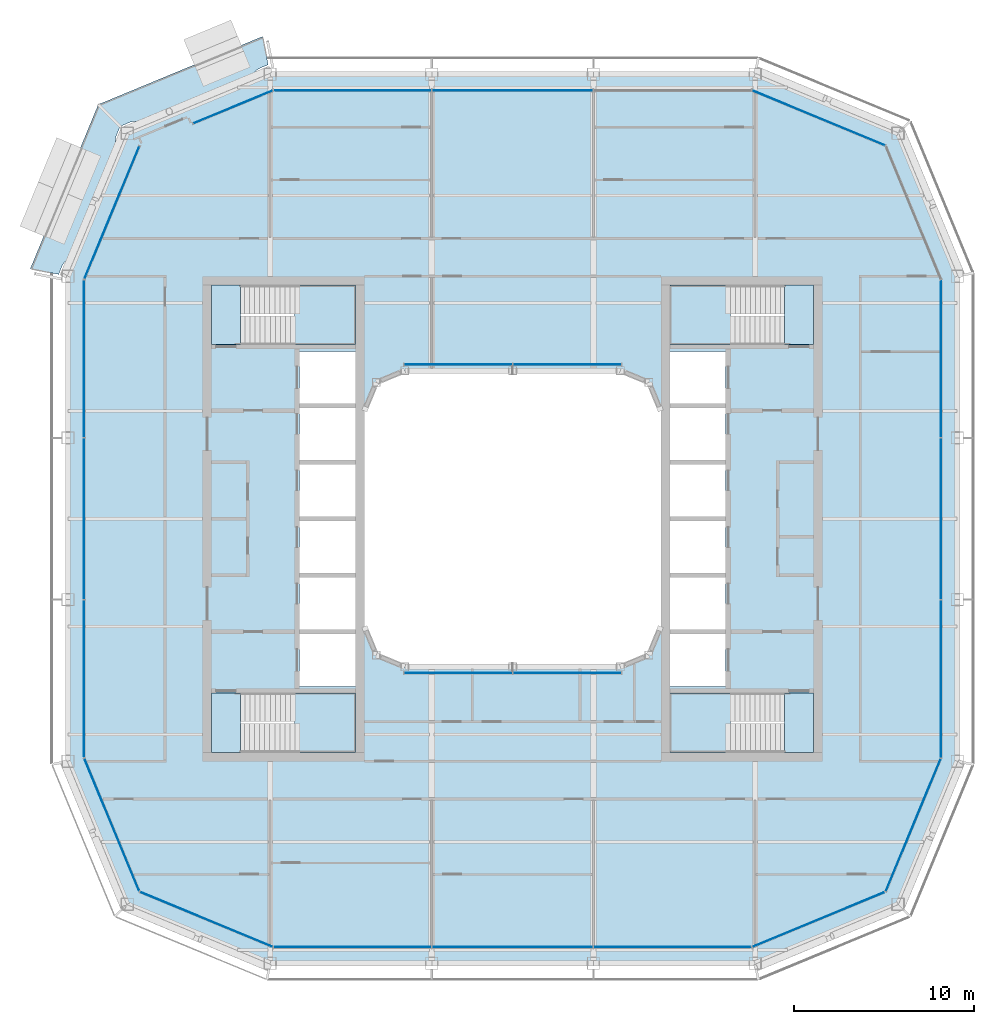
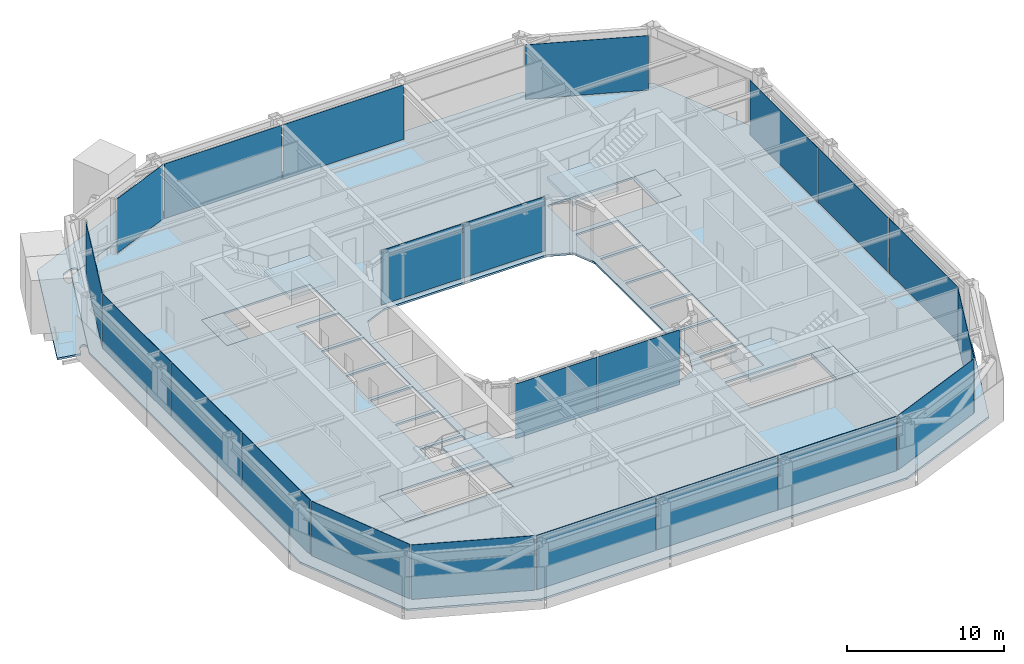
# One storey, part 11 of 22: 22 plates, 10 slabs, 17 elements without a shape of their own.
"""IFC4 building model written with IfcOpenShell, lengths in metres."""

from ifc_helpers import new_model, si_unit, direction, frame, origin, origin_2d, place, context, subcontext, project, spatial, polyline, rectangle, outline, extrude, material, layer, layer_set, type_object, element, aggregate, save


model = new_model("IFC4")

# Units and contexts
model_context = context("Model", 3, precision=1e-05, world=origin(), true_north=direction((0.0, 1.0)))
body_context = subcontext(model_context, "Body", "Model", "MODEL_VIEW")
ifc_project = project(units=[si_unit("LENGTHUNIT", "METRE"), si_unit("AREAUNIT", "SQUARE_METRE"), si_unit("VOLUMEUNIT", "CUBIC_METRE"), si_unit("PLANEANGLEUNIT", "RADIAN"), si_unit("MASSUNIT", "GRAM", prefix="KILO")], contexts=[model_context])

# Site, building, storey
site_placement = place(None, origin())
site = spatial("IfcSite", under=ifc_project, at=site_placement, CompositionType="ELEMENT")
building_placement = place(site_placement, origin())
building = spatial("IfcBuilding", under=site, at=building_placement, Name="Siwar Civic Tower", CompositionType="ELEMENT")
storey_placement = place(building_placement, frame((0.0, 0.0, 330.199951171875)))
storey = spatial("IfcBuildingStorey", under=building, at=storey_placement, Name="L71", CompositionType="ELEMENT", Elevation=330.199951171875)

# Stair, slabs
ifc_material_1 = material(Name="Concrete C40/50", Category="concrete")
stair_type = type_object("IfcStairType", Name="CORE-STAIR", PredefinedType="TWO_STRAIGHT_RUN_STAIR", material=ifc_material_1)
stair_1_placement = place(storey_placement, origin())
stair_1 = element("IfcStair", 1, at=stair_1_placement, inside=storey, type_object=stair_type, Name="Exit stair ST1", PredefinedType="TWO_STRAIGHT_RUN_STAIR")
ifc_material_2 = material(Name="Concrete C40/50", Category="concrete")
ifc_layer_1 = layer(ifc_material_2, 0.300048828125)
ifc_layer_set_1 = layer_set([ifc_layer_1], Name="Concrete C40/50")
slab_type_1 = type_object("IfcSlabType", Name="CORE-STAIR-LANDING", PredefinedType="LANDING", material=ifc_layer_set_1)
slab_1_placement = place(storey_placement, frame((0.0, 0.0, -0.300048828125)))
slab_1 = element("IfcSlab", 2, at=slab_1_placement, type_object=slab_type_1, Name="ST1 landing 1", PredefinedType="LANDING", context=body_context, shape_type="SweptSolid", body=[
    extrude(outline(polyline([(-15.14990234375, 13.0), (-16.75, 13.0), (-16.75, 9.699951171875), (-15.14990234375, 9.699951171875), (-15.14990234375, 13.0)])), origin(), (0.0, 0.0, 1.0), 0.300048828125),
])
slab_2_placement = place(storey_placement, frame((0.0, 0.0, 1.949951171875)))
slab_2 = element("IfcSlab", 3, at=slab_2_placement, type_object=slab_type_1, Name="ST1 landing 2", PredefinedType="LANDING", context=body_context, shape_type="SweptSolid", body=[
    extrude(outline(polyline([(-8.75, 13.0), (-12.139892578125, 13.0), (-12.139892578125, 9.699951171875), (-8.75, 9.699951171875), (-8.75, 13.0)])), origin(), (0.0, 0.0, 1.0), 0.300048828125),
])
aggregate(stair_1, [slab_1, slab_2])

stair_2_placement = place(storey_placement, origin())
stair_2 = element("IfcStair", 4, at=stair_2_placement, inside=storey, type_object=stair_type, Name="Exit stair ST2", PredefinedType="TWO_STRAIGHT_RUN_STAIR")
slab_3_placement = place(storey_placement, frame((0.0, 0.0, -0.300048828125)))
slab_3 = element("IfcSlab", 5, at=slab_3_placement, type_object=slab_type_1, Name="ST2 landing 1", PredefinedType="LANDING", context=body_context, shape_type="SweptSolid", body=[
    extrude(outline(polyline([(-15.14990234375, -9.699951171875), (-16.75, -9.699951171875), (-16.75, -13.0), (-15.14990234375, -13.0), (-15.14990234375, -9.699951171875)])), origin(), (0.0, 0.0, 1.0), 0.300048828125),
])
slab_4_placement = place(storey_placement, frame((0.0, 0.0, 1.949951171875)))
slab_4 = element("IfcSlab", 6, at=slab_4_placement, type_object=slab_type_1, Name="ST2 landing 2", PredefinedType="LANDING", context=body_context, shape_type="SweptSolid", body=[
    extrude(outline(polyline([(-8.75, -9.699951171875), (-12.139892578125, -9.699951171875), (-12.139892578125, -13.0), (-8.75, -13.0), (-8.75, -9.699951171875)])), origin(), (0.0, 0.0, 1.0), 0.300048828125),
])
aggregate(stair_2, [slab_3, slab_4])

stair_3_placement = place(storey_placement, origin())
stair_3 = element("IfcStair", 7, at=stair_3_placement, inside=storey, type_object=stair_type, Name="Exit stair ST3", PredefinedType="TWO_STRAIGHT_RUN_STAIR")
slab_5_placement = place(storey_placement, frame((0.0, 0.0, -0.300048828125)))
slab_5 = element("IfcSlab", 8, at=slab_5_placement, type_object=slab_type_1, Name="ST3 landing 1", PredefinedType="LANDING", context=body_context, shape_type="SweptSolid", body=[
    extrude(outline(polyline([(15.14990234375, 9.699951171875), (16.75, 9.699951171875), (16.75, 13.0), (15.14990234375, 13.0), (15.14990234375, 9.699951171875)])), origin(), (0.0, 0.0, 1.0), 0.300048828125),
])
slab_6_placement = place(storey_placement, frame((0.0, 0.0, 1.949951171875)))
slab_6 = element("IfcSlab", 9, at=slab_6_placement, type_object=slab_type_1, Name="ST3 landing 2", PredefinedType="LANDING", context=body_context, shape_type="SweptSolid", body=[
    extrude(outline(polyline([(8.75, 9.699951171875), (12.139892578125, 9.699951171875), (12.139892578125, 13.0), (8.75, 13.0), (8.75, 9.699951171875)])), origin(), (0.0, 0.0, 1.0), 0.300048828125),
])
aggregate(stair_3, [slab_5, slab_6])

stair_4_placement = place(storey_placement, origin())
stair_4 = element("IfcStair", 10, at=stair_4_placement, inside=storey, type_object=stair_type, Name="Exit stair ST4", PredefinedType="TWO_STRAIGHT_RUN_STAIR")
slab_7_placement = place(storey_placement, frame((0.0, 0.0, -0.300048828125)))
slab_7 = element("IfcSlab", 11, at=slab_7_placement, type_object=slab_type_1, Name="ST4 landing 1", PredefinedType="LANDING", context=body_context, shape_type="SweptSolid", body=[
    extrude(outline(polyline([(15.14990234375, -13.0), (16.75, -13.0), (16.75, -9.699951171875), (15.14990234375, -9.699951171875), (15.14990234375, -13.0)])), origin(), (0.0, 0.0, 1.0), 0.300048828125),
])
slab_8_placement = place(storey_placement, frame((0.0, 0.0, 1.949951171875)))
slab_8 = element("IfcSlab", 12, at=slab_8_placement, type_object=slab_type_1, Name="ST4 landing 2", PredefinedType="LANDING", context=body_context, shape_type="SweptSolid", body=[
    extrude(outline(polyline([(8.75, -13.0), (12.139892578125, -13.0), (12.139892578125, -9.699951171875), (8.75, -9.699951171875), (8.75, -13.0)])), origin(), (0.0, 0.0, 1.0), 0.300048828125),
])
aggregate(stair_4, [slab_7, slab_8])

# Slab
ifc_material_3 = material(Name="Concrete C40/50", Category="concrete")
ifc_layer_2 = layer(ifc_material_3, 0.14990234375)
ifc_layer_set_2 = layer_set([ifc_layer_2], Name="Concrete C40/50")
slab_type_2 = type_object("IfcSlabType", Name="ENV-BALCONY DECK 150", PredefinedType="FLOOR", material=ifc_layer_set_2)
slab_9_placement = place(storey_placement, frame((0.0, 0.0, -0.1494140625)))
element("IfcSlab", 13, at=slab_9_placement, inside=storey, type_object=slab_type_2, Name="Tree balcony deck NW", PredefinedType="FLOOR", context=body_context, shape_type="SweptSolid", body=[
    extrude(outline(polyline([(-21.743896484375, 21.88623046875), (-21.738525390625, 21.888671875), (-21.738525390625, 21.888671875), (-21.72216796875, 21.8955078125), (-21.5908203125, 21.949951171875), (-21.43505859375, 22.014892578125), (-21.3857421875, 22.035400390625), (-21.369384765625, 22.042236328125), (-21.367431640625, 22.04296875), (-21.306396484375, 22.06640625), (-21.3017578125, 22.068115234375), (-21.247802734375, 22.0849609375), (-21.243408203125, 22.086181640625), (-21.1884765625, 22.099853515625), (-21.181396484375, 22.101318359375), (-21.134033203125, 22.108154296875), (-21.1328125, 22.1083984375), (-21.07666015625, 22.11572265625), (-21.070068359375, 22.1162109375), (-21.0634765625, 22.1162109375), (-20.975830078125, 22.112060546875), (-20.965087890625, 22.11083984375), (-20.92578125, 22.103271484375), (-20.91796875, 22.101318359375), (-20.910400390625, 22.0986328125), (-20.8798828125, 22.08544921875), (-20.875732421875, 22.08349609375), (-20.84619140625, 22.068603515625), (-20.839599609375, 22.06494140625), (-20.833251953125, 22.060546875), (-20.82763671875, 22.055419921875), (-20.80712890625, 22.03564453125), (-20.802490234375, 22.030517578125), (-20.798095703125, 22.02490234375), (-20.794189453125, 22.01904296875), (-20.791015625, 22.0126953125), (-20.780029296875, 21.988525390625), (-20.7783203125, 21.984375), (-20.76904296875, 21.959716796875), (-20.7666015625, 21.952880859375), (-20.76513671875, 21.946044921875), (-20.76416015625, 21.93896484375), (-20.763916015625, 21.931884765625), (-20.764404296875, 21.903564453125), (-20.764892578125, 21.89599609375), (-20.76611328125, 21.888427734375), (-20.76806640625, 21.881103515625), (-20.778564453125, 21.849609375), (-20.780029296875, 21.845458984375), (-20.792236328125, 21.814453125), (-20.795654296875, 21.80712890625), (-20.7998046875, 21.800048828125), (-20.822021484375, 21.766845703125), (-20.82861328125, 21.758544921875), (-20.887451171875, 21.693359375), (-20.89208984375, 21.688720703125), (-20.8935546875, 21.6875), (-14.063720703125, 24.516357421875), (-14.103759765625, 24.51123046875), (-14.1103515625, 24.5107421875), (-14.116943359375, 24.5107421875), (-14.20458984375, 24.514892578125), (-14.21533203125, 24.51611328125), (-14.254638671875, 24.523681640625), (-14.262451171875, 24.525634765625), (-14.27001953125, 24.5283203125), (-14.300537109375, 24.54150390625), (-14.3046875, 24.54345703125), (-14.33447265625, 24.558349609375), (-14.341064453125, 24.56201171875), (-14.34716796875, 24.56640625), (-14.352783203125, 24.571533203125), (-14.373291015625, 24.591064453125), (-14.378173828125, 24.596435546875), (-14.382568359375, 24.601806640625), (-14.38623046875, 24.60791015625), (-14.389404296875, 24.6142578125), (-14.400390625, 24.638427734375), (-14.402099609375, 24.642578125), (-14.41162109375, 24.667236328125), (-14.413818359375, 24.674072265625), (-14.415283203125, 24.680908203125), (-14.416259765625, 24.68798828125), (-14.41650390625, 24.695068359375), (-14.416015625, 24.723388671875), (-14.41552734375, 24.73095703125), (-14.414306640625, 24.738525390625), (-14.412353515625, 24.745849609375), (-14.402099609375, 24.77734375), (-14.400634765625, 24.781494140625), (-14.388427734375, 24.8125), (-14.385009765625, 24.81982421875), (-14.380859375, 24.82666015625), (-14.3583984375, 24.860107421875), (-14.351806640625, 24.868408203125), (-14.29296875, 24.93359375), (-14.288330078125, 24.938232421875), (-14.283203125, 24.942626953125), (-14.238525390625, 24.977294921875), (-14.237548828125, 24.97802734375), (-14.19921875, 25.006591796875), (-14.193115234375, 25.0107421875), (-14.144775390625, 25.0400390625), (-14.140869140625, 25.042236328125), (-14.0908203125, 25.068603515625), (-14.08642578125, 25.07080078125), (-14.02685546875, 25.09765625), (-14.02490234375, 25.098388671875), (-14.0166015625, 25.101806640625), (-13.9755859375, 25.118896484375), (-13.795166015625, 25.194091796875), (-13.713134765625, 25.22802734375), (-13.68017578125, 25.24169921875), (-13.65576171875, 25.251953125), (-13.65576171875, 25.251953125), (-13.65576171875, 25.251953125), (-13.65576171875, 25.251953125), (-13.65576171875, 25.251953125), (-13.64794921875, 25.2548828125), (-13.632568359375, 25.25927734375), (-13.625, 25.260986328125), (-13.616943359375, 25.26220703125), (-13.60205078125, 25.26318359375), (-13.917724609375, 26.85009765625), (-23.062255859375, 23.062255859375), (-26.85009765625, 13.917724609375), (-25.2607421875, 13.6015625), (-25.2607421875, 13.61376953125), (-25.2607421875, 13.620361328125), (-25.259765625, 13.627197265625), (-25.258544921875, 13.6337890625), (-25.25537109375, 13.6455078125), (-25.251953125, 13.65576171875), (-25.24169921875, 13.68017578125), (-25.22802734375, 13.713134765625), (-25.194091796875, 13.795166015625), (-25.118896484375, 13.9755859375), (-25.101806640625, 14.0166015625), (-25.098388671875, 14.02490234375), (-25.09765625, 14.02685546875), (-25.07080078125, 14.08642578125), (-25.068603515625, 14.0908203125), (-25.042236328125, 14.140869140625), (-25.0400390625, 14.144775390625), (-25.0107421875, 14.193115234375), (-25.006591796875, 14.19921875), (-24.97802734375, 14.237548828125), (-24.977294921875, 14.238525390625), (-24.942626953125, 14.283203125), (-24.938232421875, 14.288330078125), (-24.93359375, 14.29296875), (-24.868408203125, 14.351806640625), (-24.860107421875, 14.3583984375), (-24.82666015625, 14.380859375), (-24.81982421875, 14.385009765625), (-24.8125, 14.388427734375), (-24.781494140625, 14.400634765625), (-24.77734375, 14.402099609375), (-24.745849609375, 14.412353515625), (-24.738525390625, 14.414306640625), (-24.73095703125, 14.41552734375), (-24.723388671875, 14.416015625), (-24.695068359375, 14.41650390625), (-24.68798828125, 14.416259765625), (-24.680908203125, 14.415283203125), (-24.674072265625, 14.413818359375), (-24.667236328125, 14.41162109375), (-24.642578125, 14.402099609375), (-24.638427734375, 14.400390625), (-24.6142578125, 14.389404296875), (-24.60791015625, 14.38623046875), (-24.601806640625, 14.382568359375), (-24.596435546875, 14.378173828125), (-24.591064453125, 14.373291015625), (-24.571533203125, 14.352783203125), (-24.56640625, 14.34716796875), (-24.56201171875, 14.341064453125), (-24.558349609375, 14.33447265625), (-24.54345703125, 14.3046875), (-24.54150390625, 14.300537109375), (-24.5283203125, 14.27001953125), (-24.525634765625, 14.262451171875), (-24.523681640625, 14.254638671875), (-24.51611328125, 14.21533203125), (-24.514892578125, 14.20458984375), (-24.5107421875, 14.116943359375), (-24.5107421875, 14.1103515625), (-24.51123046875, 14.103759765625), (-24.516357421875, 14.063720703125), (-21.6875, 20.8935546875), (-21.688720703125, 20.89208984375), (-21.693359375, 20.887451171875), (-21.758544921875, 20.82861328125), (-21.766845703125, 20.822021484375), (-21.800048828125, 20.7998046875), (-21.80712890625, 20.795654296875), (-21.814453125, 20.792236328125), (-21.845458984375, 20.780029296875), (-21.849609375, 20.778564453125), (-21.881103515625, 20.76806640625), (-21.888427734375, 20.76611328125), (-21.89599609375, 20.764892578125), (-21.903564453125, 20.764404296875), (-21.931884765625, 20.763916015625), (-21.93896484375, 20.76416015625), (-21.946044921875, 20.76513671875), (-21.952880859375, 20.7666015625), (-21.959716796875, 20.76904296875), (-21.984375, 20.7783203125), (-21.988525390625, 20.780029296875), (-22.0126953125, 20.791015625), (-22.01904296875, 20.794189453125), (-22.02490234375, 20.798095703125), (-22.030517578125, 20.802490234375), (-22.03564453125, 20.80712890625), (-22.055419921875, 20.82763671875), (-22.060546875, 20.833251953125), (-22.06494140625, 20.839599609375), (-22.068603515625, 20.84619140625), (-22.08349609375, 20.875732421875), (-22.08544921875, 20.8798828125), (-22.0986328125, 20.910400390625), (-22.101318359375, 20.91796875), (-22.103271484375, 20.92578125), (-22.11083984375, 20.965087890625), (-22.112060546875, 20.975830078125), (-22.1162109375, 21.0634765625), (-22.1162109375, 21.070068359375), (-22.11572265625, 21.07666015625), (-22.1083984375, 21.1328125), (-22.108154296875, 21.134033203125), (-22.101318359375, 21.181396484375), (-22.099853515625, 21.1884765625), (-22.086181640625, 21.243408203125), (-22.0849609375, 21.247802734375), (-22.068115234375, 21.3017578125), (-22.06640625, 21.306396484375), (-22.04296875, 21.367431640625), (-22.042236328125, 21.369384765625), (-22.035400390625, 21.3857421875), (-22.014892578125, 21.43505859375), (-21.949951171875, 21.5908203125), (-21.922607421875, 21.656494140625), (-21.8955078125, 21.72216796875), (-21.888671875, 21.738525390625), (-21.8837890625, 21.748046875), (-21.87744140625, 21.7587890625), (-21.873779296875, 21.76416015625), (-21.86962890625, 21.76953125), (-21.864990234375, 21.7744140625), (-21.855712890625, 21.783447265625), (-21.850341796875, 21.7880859375), (-21.849609375, 21.78857421875), (-21.84912109375, 21.7890625), (-21.848876953125, 21.7890625), (-21.8466796875, 21.794189453125), (-21.84326171875, 21.800537109375), (-21.839111328125, 21.806396484375), (-21.82470703125, 21.8251953125), (-21.817626953125, 21.833251953125), (-21.801025390625, 21.849365234375), (-21.796875, 21.85302734375), (-21.79248046875, 21.856689453125), (-21.77392578125, 21.869873046875), (-21.76904296875, 21.873046875), (-21.76416015625, 21.875732421875), (-21.743896484375, 21.88623046875)])), origin(), (0.0, 0.0, 1.0), 0.1494140625),
])

# Curtain wall, plates
ifc_material_4 = material(Name="Aluminium and glass", Category="aluminium")
ifc_layer_3 = layer(ifc_material_4, 0.159912109375)
ifc_layer_set_3 = layer_set([ifc_layer_3], Name="Aluminium and glass")
curtain_wall_type_1 = type_object("IfcCurtainWallType", Name="ENV-CW-D", PredefinedType="NOTDEFINED", material=ifc_layer_set_3)
curtain_wall_1_placement = place(storey_placement, origin())
curtain_wall_1 = element("IfcCurtainWall", 14, at=curtain_wall_1_placement, inside=storey, type_object=curtain_wall_type_1, Name="Curtain wall D S", PredefinedType="NOTDEFINED")
ifc_material_5 = material(Name="Glass clear laminated", Category="glass")
ifc_layer_4 = layer(ifc_material_5, 0.030029296875)
ifc_layer_set_4 = layer_set([ifc_layer_4], Name="Glass clear laminated")
plate_type_1 = type_object("IfcPlateType", Name="ENV-PANEL-D", PredefinedType="CURTAIN_PANEL", material=ifc_layer_set_4)
plate_1_placement = place(storey_placement, frame((-8.910400390625, -23.85009765625, 0.10009765625), z_axis=(0.0, 0.0, 1.0), x_axis=(1.0, 0.0, 0.0)))
plate_1 = element("IfcPlate", 15, at=plate_1_placement, type_object=plate_type_1, Name="Curtain panel D S 1", PredefinedType="CURTAIN_PANEL", context=body_context, shape_type="SweptSolid", body=[
    extrude(rectangle(XDim=8.760986328125, YDim=0.030029296875, at=origin_2d()), origin(), (0.0, 0.0, 1.0), 4.25),
])
plate_2_placement = place(storey_placement, frame((0.0, -23.85009765625, 0.10009765625), z_axis=(0.0, 0.0, 1.0), x_axis=(1.0, 0.0, 0.0)))
plate_2 = element("IfcPlate", 16, at=plate_2_placement, type_object=plate_type_1, Name="Curtain panel D S 2", PredefinedType="CURTAIN_PANEL", context=body_context, shape_type="SweptSolid", body=[
    extrude(rectangle(XDim=8.93994140625, YDim=0.030029296875, at=origin_2d()), origin(), (0.0, 0.0, 1.0), 4.25),
])
plate_3_placement = place(storey_placement, frame((8.876708984375, -23.85009765625, 0.10009765625), z_axis=(0.0, 0.0, 1.0), x_axis=(1.0, 0.0, 0.0)))
plate_3 = element("IfcPlate", 17, at=plate_3_placement, type_object=plate_type_1, Name="Curtain panel D S 3", PredefinedType="CURTAIN_PANEL", context=body_context, shape_type="SweptSolid", body=[
    extrude(rectangle(XDim=8.693115234375, YDim=0.030029296875, at=origin_2d()), origin(), (0.0, 0.0, 1.0), 4.25),
])
aggregate(curtain_wall_1, [plate_1, plate_2, plate_3])

curtain_wall_2_placement = place(storey_placement, origin())
curtain_wall_2 = element("IfcCurtainWall", 18, at=curtain_wall_2_placement, inside=storey, type_object=curtain_wall_type_1, Name="Curtain wall D E", PredefinedType="NOTDEFINED")
plate_4_placement = place(storey_placement, frame((23.85009765625, -8.910400390625, 0.10009765625), z_axis=(0.0, 0.0, 1.0), x_axis=(0.0, 1.0, 0.0)))
plate_4 = element("IfcPlate", 19, at=plate_4_placement, type_object=plate_type_1, Name="Curtain panel D E 1", PredefinedType="CURTAIN_PANEL", context=body_context, shape_type="SweptSolid", body=[
    extrude(rectangle(XDim=8.760986328125, YDim=0.030029296875, at=origin_2d()), origin(), (0.0, 0.0, 1.0), 4.25),
])
plate_5_placement = place(storey_placement, frame((23.85009765625, 0.0, 0.10009765625), z_axis=(0.0, 0.0, 1.0), x_axis=(0.0, 1.0, 0.0)))
plate_5 = element("IfcPlate", 20, at=plate_5_placement, type_object=plate_type_1, Name="Curtain panel D E 2", PredefinedType="CURTAIN_PANEL", context=body_context, shape_type="SweptSolid", body=[
    extrude(rectangle(XDim=8.93994140625, YDim=0.030029296875, at=origin_2d()), origin(), (0.0, 0.0, 1.0), 4.25),
])
plate_6_placement = place(storey_placement, frame((23.85009765625, 8.876708984375, 0.10009765625), z_axis=(0.0, 0.0, 1.0), x_axis=(0.0, 1.0, 0.0)))
plate_6 = element("IfcPlate", 21, at=plate_6_placement, type_object=plate_type_1, Name="Curtain panel D E 3", PredefinedType="CURTAIN_PANEL", context=body_context, shape_type="SweptSolid", body=[
    extrude(rectangle(XDim=8.693115234375, YDim=0.030029296875, at=origin_2d()), origin(), (0.0, 0.0, 1.0), 4.25),
])
aggregate(curtain_wall_2, [plate_4, plate_5, plate_6])

curtain_wall_3_placement = place(storey_placement, origin())
curtain_wall_3 = element("IfcCurtainWall", 22, at=curtain_wall_3_placement, inside=storey, type_object=curtain_wall_type_1, Name="Curtain wall D N", PredefinedType="NOTDEFINED")
plate_7_placement = place(storey_placement, frame((0.0, 23.85009765625, 0.10009765625), z_axis=(0.0, 0.0, 1.0), x_axis=(-1.0, 0.0, 0.0)))
plate_7 = element("IfcPlate", 23, at=plate_7_placement, type_object=plate_type_1, Name="Curtain panel D N 2", PredefinedType="CURTAIN_PANEL", context=body_context, shape_type="SweptSolid", body=[
    extrude(rectangle(XDim=8.93994140625, YDim=0.030029296875, at=origin_2d()), origin(), (0.0, 0.0, 1.0), 4.25),
])
plate_8_placement = place(storey_placement, frame((-8.876708984375, 23.85009765625, 0.10009765625), z_axis=(0.0, 0.0, 1.0), x_axis=(-1.0, 0.0, 0.0)))
plate_8 = element("IfcPlate", 24, at=plate_8_placement, type_object=plate_type_1, Name="Curtain panel D N 3", PredefinedType="CURTAIN_PANEL", context=body_context, shape_type="SweptSolid", body=[
    extrude(rectangle(XDim=8.693115234375, YDim=0.030029296875, at=origin_2d()), origin(), (0.0, 0.0, 1.0), 4.25),
])
aggregate(curtain_wall_3, [plate_7, plate_8])

curtain_wall_4_placement = place(storey_placement, origin())
curtain_wall_4 = element("IfcCurtainWall", 25, at=curtain_wall_4_placement, inside=storey, type_object=curtain_wall_type_1, Name="Curtain wall D W", PredefinedType="NOTDEFINED")
plate_9_placement = place(storey_placement, frame((-23.85009765625, 8.910400390625, 0.10009765625), z_axis=(0.0, 0.0, 1.0), x_axis=(0.0, -1.0, 0.0)))
plate_9 = element("IfcPlate", 26, at=plate_9_placement, type_object=plate_type_1, Name="Curtain panel D W 1", PredefinedType="CURTAIN_PANEL", context=body_context, shape_type="SweptSolid", body=[
    extrude(rectangle(XDim=8.760986328125, YDim=0.030029296875, at=origin_2d()), origin(), (0.0, 0.0, 1.0), 4.25),
])
plate_10_placement = place(storey_placement, frame((-23.85009765625, 0.0, 0.10009765625), z_axis=(0.0, 0.0, 1.0), x_axis=(0.0, -1.0, 0.0)))
plate_10 = element("IfcPlate", 27, at=plate_10_placement, type_object=plate_type_1, Name="Curtain panel D W 2", PredefinedType="CURTAIN_PANEL", context=body_context, shape_type="SweptSolid", body=[
    extrude(rectangle(XDim=8.93994140625, YDim=0.030029296875, at=origin_2d()), origin(), (0.0, 0.0, 1.0), 4.25),
])
plate_11_placement = place(storey_placement, frame((-23.85009765625, -8.876708984375, 0.10009765625), z_axis=(0.0, 0.0, 1.0), x_axis=(0.0, -1.0, 0.0)))
plate_11 = element("IfcPlate", 28, at=plate_11_placement, type_object=plate_type_1, Name="Curtain panel D W 3", PredefinedType="CURTAIN_PANEL", context=body_context, shape_type="SweptSolid", body=[
    extrude(rectangle(XDim=8.693115234375, YDim=0.030029296875, at=origin_2d()), origin(), (0.0, 0.0, 1.0), 4.25),
])
aggregate(curtain_wall_4, [plate_9, plate_10, plate_11])

# Curtain wall, plate
ifc_material_6 = material(Name="Aluminium clad insulated panel", Category="aluminium")
ifc_layer_5 = layer(ifc_material_6, 0.159912109375)
ifc_layer_set_5 = layer_set([ifc_layer_5], Name="Aluminium clad insulated panel")
curtain_wall_type_2 = type_object("IfcCurtainWallType", Name="ENV-CW-DX", PredefinedType="NOTDEFINED", material=ifc_layer_set_5)
curtain_wall_5_placement = place(storey_placement, origin())
curtain_wall_5 = element("IfcCurtainWall", 29, at=curtain_wall_5_placement, inside=storey, type_object=curtain_wall_type_2, Name="Curtain wall D SE1", PredefinedType="NOTDEFINED")
ifc_material_7 = material(Name="Aluminium clad insulated panel", Category="aluminium")
ifc_layer_6 = layer(ifc_material_7, 0.030029296875)
ifc_layer_set_6 = layer_set([ifc_layer_6], Name="Aluminium clad insulated panel")
plate_type_2 = type_object("IfcPlateType", Name="ENV-PANEL-DX", PredefinedType="CURTAIN_PANEL", material=ifc_layer_set_6)
plate_12_placement = place(storey_placement, frame((17.01220703125, -22.321044921875, 0.10009765625), z_axis=(0.0, 0.0, 1.0), x_axis=(0.923879532511, 0.382683432365, 0.0)))
plate_12 = element("IfcPlate", 30, at=plate_12_placement, type_object=plate_type_2, Name="Curtain panel D SE1 1", PredefinedType="CURTAIN_PANEL", context=body_context, shape_type="SweptSolid", body=[
    extrude(rectangle(XDim=7.9306640625, YDim=0.030029296875, at=origin_2d()), origin(), (0.0, 0.0, 1.0), 4.25),
])
aggregate(curtain_wall_5, [plate_12])

curtain_wall_6_placement = place(storey_placement, origin())
curtain_wall_6 = element("IfcCurtainWall", 31, at=curtain_wall_6_placement, inside=storey, type_object=curtain_wall_type_2, Name="Curtain wall D SE2", PredefinedType="NOTDEFINED")
plate_13_placement = place(storey_placement, frame((22.295166015625, -17.074951171875, 0.10009765625), z_axis=(0.0, 0.0, 1.0), x_axis=(0.382683432365, 0.923879532511, 0.0)))
plate_13 = element("IfcPlate", 32, at=plate_13_placement, type_object=plate_type_2, Name="Curtain panel D SE2 1", PredefinedType="CURTAIN_PANEL", context=body_context, shape_type="SweptSolid", body=[
    extrude(rectangle(XDim=7.9306640625, YDim=0.030029296875, at=origin_2d()), origin(), (0.0, 0.0, 1.0), 4.25),
])
aggregate(curtain_wall_6, [plate_13])

curtain_wall_7_placement = place(storey_placement, origin())
curtain_wall_7 = element("IfcCurtainWall", 33, at=curtain_wall_7_placement, inside=storey, type_object=curtain_wall_type_2, Name="Curtain wall D NE2", PredefinedType="NOTDEFINED")
plate_14_placement = place(storey_placement, frame((17.074951171875, 22.295166015625, 0.10009765625), z_axis=(0.0, 0.0, 1.0), x_axis=(-0.923879532511, 0.382683432365, 0.0)))
plate_14 = element("IfcPlate", 34, at=plate_14_placement, type_object=plate_type_2, Name="Curtain panel D NE2 1", PredefinedType="CURTAIN_PANEL", context=body_context, shape_type="SweptSolid", body=[
    extrude(rectangle(XDim=7.9306640625, YDim=0.030029296875, at=origin_2d()), origin(), (0.0, 0.0, 1.0), 4.25),
])
aggregate(curtain_wall_7, [plate_14])

curtain_wall_8_placement = place(storey_placement, origin())
curtain_wall_8 = element("IfcCurtainWall", 35, at=curtain_wall_8_placement, inside=storey, type_object=curtain_wall_type_2, Name="Curtain wall D NW1", PredefinedType="NOTDEFINED")
plate_15_placement = place(storey_placement, frame((-15.56005859375, 22.922607421875, 0.10009765625), z_axis=(0.0, 0.0, 1.0), x_axis=(-0.923879532511, -0.382683432365, 0.0)))
plate_15 = element("IfcPlate", 36, at=plate_15_placement, type_object=plate_type_2, Name="Curtain panel D NW1 1", PredefinedType="CURTAIN_PANEL", context=body_context, shape_type="SweptSolid", body=[
    extrude(rectangle(XDim=4.787109375, YDim=0.030029296875, at=origin_2d()), origin(), (0.0, 0.0, 1.0), 4.25),
])
aggregate(curtain_wall_8, [plate_15])

curtain_wall_9_placement = place(storey_placement, origin())
curtain_wall_9 = element("IfcCurtainWall", 37, at=curtain_wall_9_placement, inside=storey, type_object=curtain_wall_type_2, Name="Curtain wall D NW2", PredefinedType="NOTDEFINED")
plate_16_placement = place(storey_placement, frame((-22.295166015625, 17.074951171875, 0.10009765625), z_axis=(0.0, 0.0, 1.0), x_axis=(-0.382683432365, -0.923879532511, 0.0)))
plate_16 = element("IfcPlate", 38, at=plate_16_placement, type_object=plate_type_2, Name="Curtain panel D NW2 1", PredefinedType="CURTAIN_PANEL", context=body_context, shape_type="SweptSolid", body=[
    extrude(rectangle(XDim=7.9306640625, YDim=0.030029296875, at=origin_2d()), origin(), (0.0, 0.0, 1.0), 4.25),
])
aggregate(curtain_wall_9, [plate_16])

curtain_wall_10_placement = place(storey_placement, origin())
curtain_wall_10 = element("IfcCurtainWall", 39, at=curtain_wall_10_placement, inside=storey, type_object=curtain_wall_type_2, Name="Curtain wall D SW1", PredefinedType="NOTDEFINED")
plate_17_placement = place(storey_placement, frame((-22.321044921875, -17.01220703125, 0.10009765625), z_axis=(0.0, 0.0, 1.0), x_axis=(0.382683432365, -0.923879532511, 0.0)))
plate_17 = element("IfcPlate", 40, at=plate_17_placement, type_object=plate_type_2, Name="Curtain panel D SW1 1", PredefinedType="CURTAIN_PANEL", context=body_context, shape_type="SweptSolid", body=[
    extrude(rectangle(XDim=7.9306640625, YDim=0.030029296875, at=origin_2d()), origin(), (0.0, 0.0, 1.0), 4.25),
])
aggregate(curtain_wall_10, [plate_17])

curtain_wall_11_placement = place(storey_placement, origin())
curtain_wall_11 = element("IfcCurtainWall", 41, at=curtain_wall_11_placement, inside=storey, type_object=curtain_wall_type_2, Name="Curtain wall D SW2", PredefinedType="NOTDEFINED")
plate_18_placement = place(storey_placement, frame((-17.074951171875, -22.295166015625, 0.10009765625), z_axis=(0.0, 0.0, 1.0), x_axis=(0.923879532511, -0.382683432365, 0.0)))
plate_18 = element("IfcPlate", 42, at=plate_18_placement, type_object=plate_type_2, Name="Curtain panel D SW2 1", PredefinedType="CURTAIN_PANEL", context=body_context, shape_type="SweptSolid", body=[
    extrude(rectangle(XDim=7.9306640625, YDim=0.030029296875, at=origin_2d()), origin(), (0.0, 0.0, 1.0), 4.25),
])
aggregate(curtain_wall_11, [plate_18])

# Curtain wall, plates
ifc_material_8 = material(Name="Aluminium and glass", Category="aluminium")
ifc_layer_7 = layer(ifc_material_8, 0.179931640625)
ifc_layer_set_7 = layer_set([ifc_layer_7], Name="Aluminium and glass")
curtain_wall_type_3 = type_object("IfcCurtainWallType", Name="ENV-CW-W", PredefinedType="NOTDEFINED", material=ifc_layer_set_7)
curtain_wall_12_placement = place(storey_placement, origin())
curtain_wall_12 = element("IfcCurtainWall", 43, at=curtain_wall_12_placement, inside=storey, type_object=curtain_wall_type_3, Name="Curtain wall W WS", PredefinedType="NOTDEFINED")
ifc_material_9 = material(Name="Glass clear laminated", Category="glass")
ifc_layer_8 = layer(ifc_material_9, 0.031982421875)
ifc_layer_set_8 = layer_set([ifc_layer_8], Name="Glass clear laminated")
plate_type_3 = type_object("IfcPlateType", Name="ENV-PANEL-W", PredefinedType="CURTAIN_PANEL", material=ifc_layer_set_8)
plate_19_placement = place(storey_placement, frame((-3.033203125, -8.5849609375, 0.10009765625), z_axis=(0.0, 0.0, 1.0), x_axis=(1.0, 0.0, 0.0)))
plate_19 = element("IfcPlate", 44, at=plate_19_placement, type_object=plate_type_3, Name="Curtain panel W WS 1", PredefinedType="CURTAIN_PANEL", context=body_context, shape_type="SweptSolid", body=[
    extrude(rectangle(XDim=6.006591796875, YDim=0.031982421875, at=origin_2d()), origin(), (0.0, 0.0, 1.0), 4.25),
])
plate_20_placement = place(storey_placement, frame((3.033203125, -8.5849609375, 0.10009765625), z_axis=(0.0, 0.0, 1.0), x_axis=(1.0, 0.0, 0.0)))
plate_20 = element("IfcPlate", 45, at=plate_20_placement, type_object=plate_type_3, Name="Curtain panel W WS 2", PredefinedType="CURTAIN_PANEL", context=body_context, shape_type="SweptSolid", body=[
    extrude(rectangle(XDim=6.006591796875, YDim=0.031982421875, at=origin_2d()), origin(), (0.0, 0.0, 1.0), 4.25),
])
aggregate(curtain_wall_12, [plate_19, plate_20])

curtain_wall_13_placement = place(storey_placement, origin())
curtain_wall_13 = element("IfcCurtainWall", 46, at=curtain_wall_13_placement, inside=storey, type_object=curtain_wall_type_3, Name="Curtain wall W WN", PredefinedType="NOTDEFINED")
plate_21_placement = place(storey_placement, frame((3.033203125, 8.5849609375, 0.10009765625), z_axis=(0.0, 0.0, 1.0), x_axis=(-1.0, 0.0, 0.0)))
plate_21 = element("IfcPlate", 47, at=plate_21_placement, type_object=plate_type_3, Name="Curtain panel W WN 1", PredefinedType="CURTAIN_PANEL", context=body_context, shape_type="SweptSolid", body=[
    extrude(rectangle(XDim=6.006591796875, YDim=0.031982421875, at=origin_2d()), origin(), (0.0, 0.0, 1.0), 4.25),
])
plate_22_placement = place(storey_placement, frame((-3.033203125, 8.5849609375, 0.10009765625), z_axis=(0.0, 0.0, 1.0), x_axis=(-1.0, 0.0, 0.0)))
plate_22 = element("IfcPlate", 48, at=plate_22_placement, type_object=plate_type_3, Name="Curtain panel W WN 2", PredefinedType="CURTAIN_PANEL", context=body_context, shape_type="SweptSolid", body=[
    extrude(rectangle(XDim=6.006591796875, YDim=0.031982421875, at=origin_2d()), origin(), (0.0, 0.0, 1.0), 4.25),
])
aggregate(curtain_wall_13, [plate_21, plate_22])

# Slab
ifc_material_10 = material(Name="Concrete C40/50", Category="concrete")
ifc_layer_9 = layer(ifc_material_10, 0.14990234375)
ifc_layer_set_9 = layer_set([ifc_layer_9], Name="Concrete C40/50")
slab_type_3 = type_object("IfcSlabType", Name="STR-FLOOR-DECK-150", PredefinedType="FLOOR", material=ifc_layer_set_9)
slab_10_placement = place(storey_placement, frame((0.0, 0.0, -0.14990234375)))
element("IfcSlab", 49, at=slab_10_placement, inside=storey, type_object=slab_type_3, Name="L71/slab/1", PredefinedType="FLOOR", context=body_context, shape_type="SweptSolid", body=[
    extrude(outline(polyline([(-13.5, -24.75), (13.5, -24.75), (21.454833984375, -21.454833984375), (24.75, -13.5), (24.75, 13.5), (21.454833984375, 21.454833984375), (13.5, 24.75), (-13.5, 24.75), (-21.454833984375, 21.454833984375), (-24.75, 13.5), (-24.75, -13.5), (-21.454833984375, -21.454833984375), (-13.5, -24.75)]), holes=[polyline([(16.75, 13.0), (16.75, 9.699951171875), (8.75, 9.699951171875), (8.75, 13.0), (16.75, 13.0)]), polyline([(8.75, -9.699951171875), (16.75, -9.699951171875), (16.75, -13.0), (8.75, -13.0), (8.75, -9.699951171875)]), polyline([(11.85009765625, 9.324951171875), (11.85009765625, 6.425048828125), (8.75, 6.425048828125), (8.75, 9.324951171875), (11.85009765625, 9.324951171875)]), polyline([(8.75, 6.175048828125), (11.85009765625, 6.175048828125), (11.85009765625, 3.27490234375), (8.75, 3.27490234375), (8.75, 6.175048828125)]), polyline([(8.75, 3.02490234375), (11.85009765625, 3.02490234375), (11.85009765625, 0.125), (8.75, 0.125), (8.75, 3.02490234375)]), polyline([(8.75, -0.125), (11.85009765625, -0.125), (11.85009765625, -3.02490234375), (8.75, -3.02490234375), (8.75, -0.125)]), polyline([(8.75, -3.27490234375), (11.85009765625, -3.27490234375), (11.85009765625, -6.175048828125), (8.75, -6.175048828125), (8.75, -3.27490234375)]), polyline([(8.75, -6.425048828125), (11.85009765625, -6.425048828125), (11.85009765625, -9.324951171875), (8.75, -9.324951171875), (8.75, -6.425048828125)]), polyline([(-6.0, 8.25), (6.0, 8.25), (7.591064453125, 7.591064453125), (8.25, 6.0), (8.25, -6.0), (7.591064453125, -7.591064453125), (6.0, -8.25), (-6.0, -8.25), (-7.591064453125, -7.591064453125), (-8.25, -6.0), (-8.25, 6.0), (-7.591064453125, 7.591064453125), (-6.0, 8.25)]), polyline([(-8.75, -13.0), (-16.75, -13.0), (-16.75, -9.699951171875), (-8.75, -9.699951171875), (-8.75, -13.0)]), polyline([(-8.75, 9.699951171875), (-16.75, 9.699951171875), (-16.75, 13.0), (-8.75, 13.0), (-8.75, 9.699951171875)]), polyline([(-8.75, 6.425048828125), (-11.85009765625, 6.425048828125), (-11.85009765625, 9.324951171875), (-8.75, 9.324951171875), (-8.75, 6.425048828125)]), polyline([(-8.75, 3.27490234375), (-11.85009765625, 3.27490234375), (-11.85009765625, 6.175048828125), (-8.75, 6.175048828125), (-8.75, 3.27490234375)]), polyline([(-8.75, 0.125), (-11.85009765625, 0.125), (-11.85009765625, 3.02490234375), (-8.75, 3.02490234375), (-8.75, 0.125)]), polyline([(-8.75, -3.02490234375), (-11.85009765625, -3.02490234375), (-11.85009765625, -0.125), (-8.75, -0.125), (-8.75, -3.02490234375)]), polyline([(-8.75, -6.175048828125), (-11.85009765625, -6.175048828125), (-11.85009765625, -3.27490234375), (-8.75, -3.27490234375), (-8.75, -6.175048828125)]), polyline([(-8.75, -9.324951171875), (-11.85009765625, -9.324951171875), (-11.85009765625, -6.425048828125), (-8.75, -6.425048828125), (-8.75, -9.324951171875)])]), origin(), (0.0, 0.0, 1.0), 0.14990234375),
])

save(model, "model.ifc")
